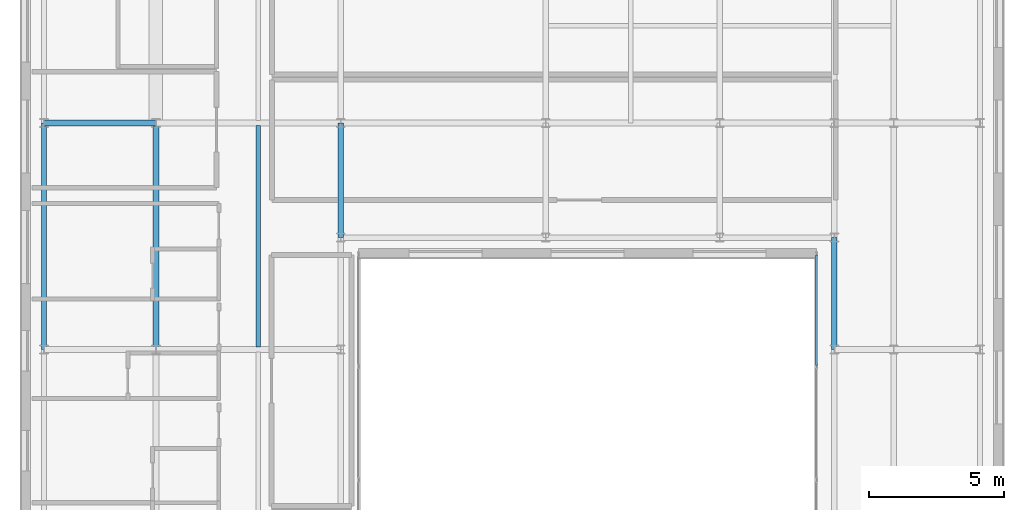
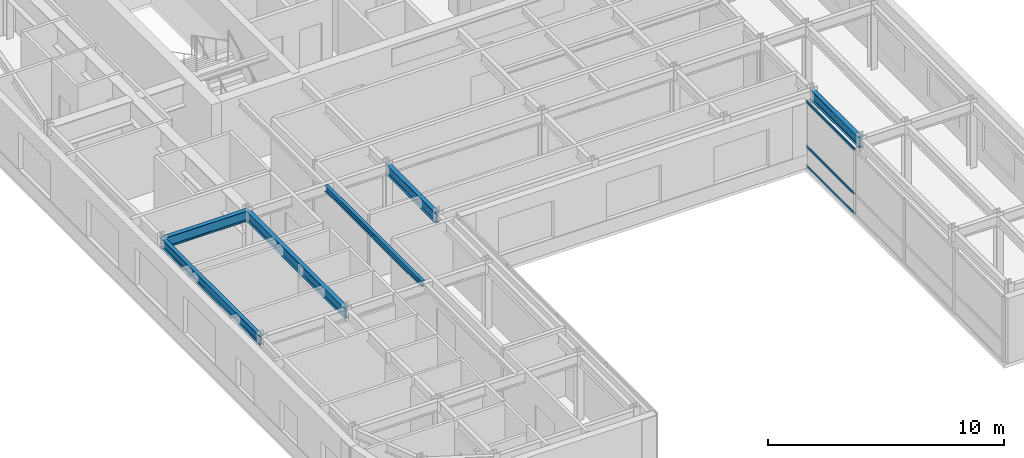
# One storey, part 8 of 21: 6 beams, 3 members, 1 element without a shape of its own.
"""IFC4 building model written with IfcOpenShell, lengths in metres."""

from ifc_helpers import new_model, si_unit, direction, frame, origin, origin_2d, place, context, subcontext, project, spatial, hollow_rectangle, i_section, extrude, source, transform, mapped, material, layer, layer_set, material_profile, profile_set, type_object, type_shapes, element, aggregate, save


model = new_model("IFC4")

# Units and contexts
model_context = context("Model", 3, precision=1e-05, world=origin(), true_north=direction((0.0, 1.0)))
body_context = subcontext(model_context, "Body", "Model", "MODEL_VIEW")
ifc_project = project(units=[si_unit("LENGTHUNIT", "METRE"), si_unit("AREAUNIT", "SQUARE_METRE"), si_unit("VOLUMEUNIT", "CUBIC_METRE"), si_unit("PLANEANGLEUNIT", "RADIAN"), si_unit("MASSUNIT", "GRAM", prefix="KILO")], contexts=[model_context])

# Site, building, storey
site_placement = place(None, origin())
site = spatial("IfcSite", under=ifc_project, at=site_placement, CompositionType="ELEMENT")
building_placement = place(site_placement, origin())
building = spatial("IfcBuilding", under=site, at=building_placement, Name="Tolvann Quenvar Hotel", CompositionType="ELEMENT")
storey_placement = place(building_placement, frame((0.0, 0.0, 262.949951171875)))
storey = spatial("IfcBuildingStorey", under=building, at=storey_placement, Name="L70", CompositionType="ELEMENT", Elevation=262.949951171875)

# Beams
ifc_material_1 = material(Name="Steel Grade 350", Category="steel")
ifc_material_profile_1 = material_profile(ifc_material_1, i_section(OverallWidth=0.208984375, OverallDepth=0.532958984375, WebThickness=0.01025390625, FlangeThickness=0.015625, FilletRadius=0.013916015625, at=origin_2d()), Name="530UB92")
ifc_profile_set_1 = profile_set([ifc_material_profile_1], Name="Steel Grade 350")
beam_type_1 = type_object("IfcBeamType", Name="BM_GIRD_530UB92", PredefinedType="BEAM", material=ifc_profile_set_1)
shared_shape_1 = source(origin(), body_context, "Body", "SweptSolid", [
    extrude(i_section(OverallWidth=0.208984375, OverallDepth=0.532958984375, WebThickness=0.01025390625, FlangeThickness=0.015625, FilletRadius=0.013916015625, at=origin_2d()), origin(), (0.0, 0.0, 1.0), 8.39990234375),
])
beam_1_placement = place(storey_placement, frame((7.60009765625, 16.0, 3.103515625), z_axis=(0.0, 1.0, 0.0), x_axis=(-1.0, 0.0, 0.0)))
element("IfcBeam", 1, at=beam_1_placement, inside=storey, type_object=beam_type_1, Name="BM-L70-NS-C4-C5", PredefinedType="BEAM", context=body_context, shape_type="MappedRepresentation", body=[
    mapped(shared_shape_1, transform((0.0, 0.0, 0.0), x_axis=(1.0, 0.0, 0.0), y_axis=(0.0, 1.0, 0.0), z_axis=(0.0, 0.0, 1.0), scale=1.0)),
])
ifc_material_profile_2 = material_profile(ifc_material_1, i_section(OverallWidth=0.19091796875, OverallDepth=0.4599609375, WebThickness=0.010009765625, FlangeThickness=0.01611328125, FilletRadius=0.011474609375, at=origin_2d()), Name="460UB82")
ifc_profile_set_2 = profile_set([ifc_material_profile_2], Name="Steel Grade 350")
beam_type_2 = type_object("IfcBeamType", Name="BM_SPAND_460UB82", PredefinedType="SPANDREL", material=ifc_profile_set_2)
shared_shape_2 = source(origin(), body_context, "Body", "SweptSolid", [
    extrude(i_section(OverallWidth=0.19091796875, OverallDepth=0.4599609375, WebThickness=0.010009765625, FlangeThickness=0.01611328125, FilletRadius=0.011474609375, at=origin_2d()), origin(), (0.0, 0.0, 1.0), 8.39990234375),
])
type_shapes(beam_type_2, [shared_shape_2])
beam_2_placement = place(storey_placement, frame((3.449951171875, 16.0, 3.14013671875), z_axis=(0.0, 1.0, 0.0), x_axis=(-1.0, 0.0, 0.0)))
element("IfcBeam", 2, at=beam_2_placement, inside=storey, type_object=beam_type_2, Name="BM-L70-NS-B4-B5", PredefinedType="SPANDREL", context=body_context, shape_type="MappedRepresentation", body=[
    mapped(shared_shape_2, transform((0.0, 0.0, 0.0), x_axis=(1.0, 0.0, 0.0), y_axis=(0.0, 1.0, 0.0), z_axis=(0.0, 0.0, 1.0), scale=1.0)),
])
shared_shape_3 = source(origin(), body_context, "Body", "SweptSolid", [
    extrude(i_section(OverallWidth=0.208984375, OverallDepth=0.532958984375, WebThickness=0.01025390625, FlangeThickness=0.015625, FilletRadius=0.013916015625, at=origin_2d()), origin(), (0.0, 0.0, 1.0), 4.150146484375),
])
beam_3_placement = place(storey_placement, frame((3.449951171875, 24.39990234375, 3.103515625), z_axis=(1.0, 0.0, 0.0), x_axis=(0.0, 1.0, 0.0)))
element("IfcBeam", 3, at=beam_3_placement, inside=storey, type_object=beam_type_1, Name="BM-L70-EW-5-B5-C5", PredefinedType="BEAM", context=body_context, shape_type="MappedRepresentation", body=[
    mapped(shared_shape_3, transform((0.0, 0.0, 0.0), x_axis=(1.0, 0.0, 0.0), y_axis=(0.0, 1.0, 0.0), z_axis=(0.0, 0.0, 1.0), scale=1.0)),
])
shared_shape_4 = source(origin(), body_context, "Body", "SweptSolid", [
    extrude(i_section(OverallWidth=0.208984375, OverallDepth=0.532958984375, WebThickness=0.01025390625, FlangeThickness=0.015625, FilletRadius=0.013916015625, at=origin_2d()), origin(), (0.0, 0.0, 1.0), 4.25),
])
beam_4_placement = place(storey_placement, frame((14.449951171875, 20.14990234375, 3.103515625), z_axis=(0.0, 1.0, 0.0), x_axis=(-1.0, 0.0, 0.0)))
element("IfcBeam", 4, at=beam_4_placement, inside=storey, type_object=beam_type_1, Name="BM-L70-NS-D4P-D5", PredefinedType="BEAM", context=body_context, shape_type="MappedRepresentation", body=[
    mapped(shared_shape_4, transform((0.0, 0.0, 0.0), x_axis=(1.0, 0.0, 0.0), y_axis=(0.0, 1.0, 0.0), z_axis=(0.0, 0.0, 1.0), scale=1.0)),
])
shared_shape_5 = source(origin(), body_context, "Body", "SweptSolid", [
    extrude(i_section(OverallWidth=0.208984375, OverallDepth=0.532958984375, WebThickness=0.01025390625, FlangeThickness=0.015625, FilletRadius=0.013916015625, at=origin_2d()), origin(), (0.0, 0.0, 1.0), 4.14990234375),
])
type_shapes(beam_type_1, [shared_shape_1, shared_shape_3, shared_shape_4, shared_shape_5])
beam_5_placement = place(storey_placement, frame((32.75, 16.0, 3.103515625), z_axis=(0.0, 1.0, 0.0), x_axis=(-1.0, 0.0, 0.0)))
element("IfcBeam", 5, at=beam_5_placement, inside=storey, type_object=beam_type_1, Name="BM-L70-NS-FP4-FP4P", PredefinedType="BEAM", context=body_context, shape_type="MappedRepresentation", body=[
    mapped(shared_shape_5, transform((0.0, 0.0, 0.0), x_axis=(1.0, 0.0, 0.0), y_axis=(0.0, 1.0, 0.0), z_axis=(0.0, 0.0, 1.0), scale=1.0)),
])
ifc_material_profile_3 = material_profile(ifc_material_1, i_section(OverallWidth=0.166015625, OverallDepth=0.306884765625, WebThickness=0.006591796875, FlangeThickness=0.01171875, FilletRadius=0.011474609375, at=origin_2d()), Name="310UB46")
ifc_profile_set_3 = profile_set([ifc_material_profile_3], Name="Steel Grade 350")
beam_type_3 = type_object("IfcBeamType", Name="BM_JOIST_310UB46", PredefinedType="JOIST", material=ifc_profile_set_3)
shared_shape_6 = source(origin(), body_context, "Body", "SweptSolid", [
    extrude(i_section(OverallWidth=0.166015625, OverallDepth=0.306884765625, WebThickness=0.006591796875, FlangeThickness=0.01171875, FilletRadius=0.011474609375, at=origin_2d()), origin(), (0.0, 0.0, 1.0), 8.203125),
])
type_shapes(beam_type_3, [shared_shape_6])
beam_6_placement = place(storey_placement, frame((11.39990234375, 16.098388671875, 3.216552734375), z_axis=(0.0, 1.0, 0.0), x_axis=(-1.0, 0.0, 0.0)))
element("IfcBeam", 6, at=beam_6_placement, inside=storey, type_object=beam_type_3, Name="BJ-L70-114-160", PredefinedType="JOIST", context=body_context, shape_type="MappedRepresentation", body=[
    mapped(shared_shape_6, transform((0.0, 0.0, 0.0), x_axis=(1.0, 0.0, 0.0), y_axis=(0.0, 1.0, 0.0), z_axis=(0.0, 0.0, 1.0), scale=1.0)),
])

# Curtain wall, members
ifc_material_2 = material(Name="Thermally broken anodised architectural aluminium 6063-T6 and laminated low-E glass", Category="aluminium")
ifc_layer = layer(ifc_material_2, 0.179931640625)
ifc_layer_set = layer_set([ifc_layer], Name="Thermally broken anodised architectural aluminium 6063-T6 and laminated low-E glass")
curtain_wall_type = type_object("IfcCurtainWallType", Name="CW_SYS_PORTAL_05", PredefinedType="USERDEFINED", material=ifc_layer_set)
curtain_wall_placement = place(storey_placement, origin())
curtain_wall = element("IfcCurtainWall", 7, at=curtain_wall_placement, inside=storey, type_object=curtain_wall_type, Name="Curtain Wall CW-PORTAL-05 (CWR-L70-E07)", ObjectType="UNITISED CURTAIN WALL", PredefinedType="USERDEFINED")
ifc_material_3 = material(Name="Anodised architectural aluminium 6063-T6 framing", Category="aluminium")
ifc_material_profile_4 = material_profile(ifc_material_3, hollow_rectangle(XDim=0.06005859375, YDim=0.1201171875, WallThickness=0.00341796875, at=origin_2d()), Name="120x60x3.5RHS")
ifc_profile_set_4 = profile_set([ifc_material_profile_4], Name="Anodised architectural aluminium 6063-T6 framing")
member_type = type_object("IfcMemberType", Name="CW_TRAN_120x60", PredefinedType="USERDEFINED", material=ifc_profile_set_4)
shared_shape_7 = source(origin(), body_context, "Body", "SweptSolid", [
    extrude(hollow_rectangle(XDim=0.06005859375, YDim=0.1201171875, WallThickness=0.00341796875, at=origin_2d()), origin(), (0.0, 0.0, 1.0), 4.094970703125),
])
type_shapes(member_type, [shared_shape_7])
member_1_placement = place(storey_placement, frame((32.090087890625, 19.5048828125, 0.030029296875), z_axis=(0.0, -1.0, 0.0), x_axis=(1.0, 0.0, 0.0)))
member_1 = element("IfcMember", 8, at=member_1_placement, type_object=member_type, Name="CW-PORTAL-05 transom 1.1", ObjectType="TRANSOM", PredefinedType="USERDEFINED", context=body_context, shape_type="MappedRepresentation", body=[
    mapped(shared_shape_7, transform((0.0, 0.0, 0.0), x_axis=(1.0, 0.0, 0.0), y_axis=(0.0, 1.0, 0.0), z_axis=(0.0, 0.0, 1.0), scale=1.0)),
])
member_2_placement = place(storey_placement, frame((32.090087890625, 19.5048828125, 1.050048828125), z_axis=(0.0, -1.0, 0.0), x_axis=(1.0, 0.0, 0.0)))
member_2 = element("IfcMember", 9, at=member_2_placement, type_object=member_type, Name="CW-PORTAL-05 transom 1.2", ObjectType="TRANSOM", PredefinedType="USERDEFINED", context=body_context, shape_type="MappedRepresentation", body=[
    mapped(shared_shape_7, transform((0.0, 0.0, 0.0), x_axis=(1.0, 0.0, 0.0), y_axis=(0.0, 1.0, 0.0), z_axis=(0.0, 0.0, 1.0), scale=1.0)),
])
member_3_placement = place(storey_placement, frame((32.090087890625, 19.5048828125, 3.340087890625), z_axis=(0.0, -1.0, 0.0), x_axis=(1.0, 0.0, 0.0)))
member_3 = element("IfcMember", 10, at=member_3_placement, type_object=member_type, Name="CW-PORTAL-05 transom 1.3", ObjectType="TRANSOM", PredefinedType="USERDEFINED", context=body_context, shape_type="MappedRepresentation", body=[
    mapped(shared_shape_7, transform((0.0, 0.0, 0.0), x_axis=(1.0, 0.0, 0.0), y_axis=(0.0, 1.0, 0.0), z_axis=(0.0, 0.0, 1.0), scale=1.0)),
])
aggregate(curtain_wall, [member_1, member_2, member_3])

save(model, "model.ifc")
